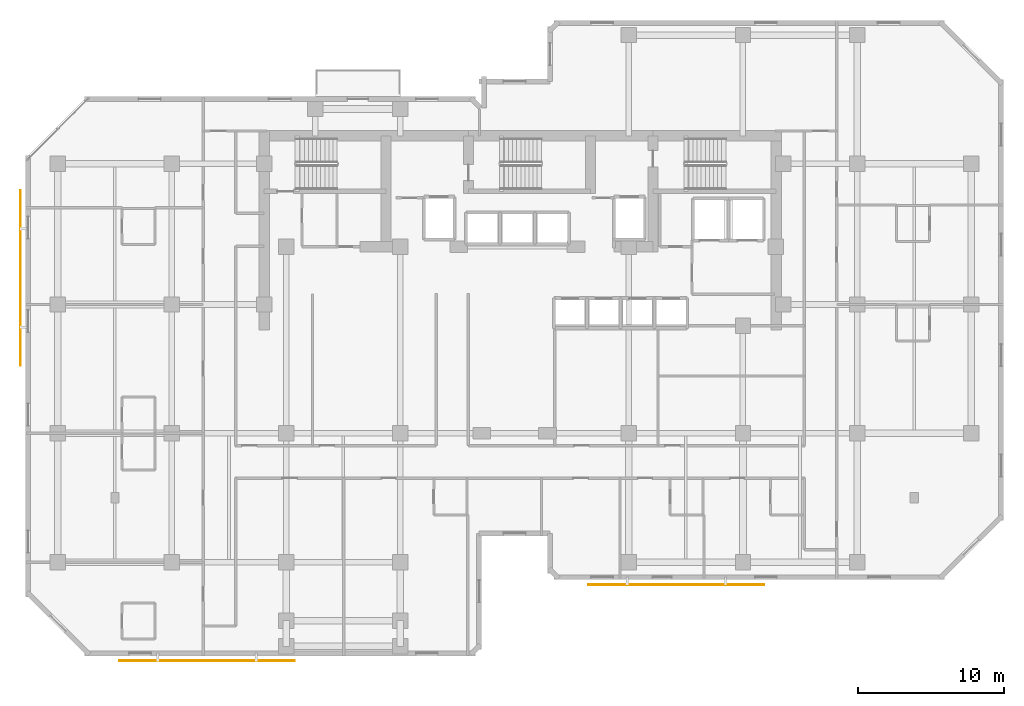
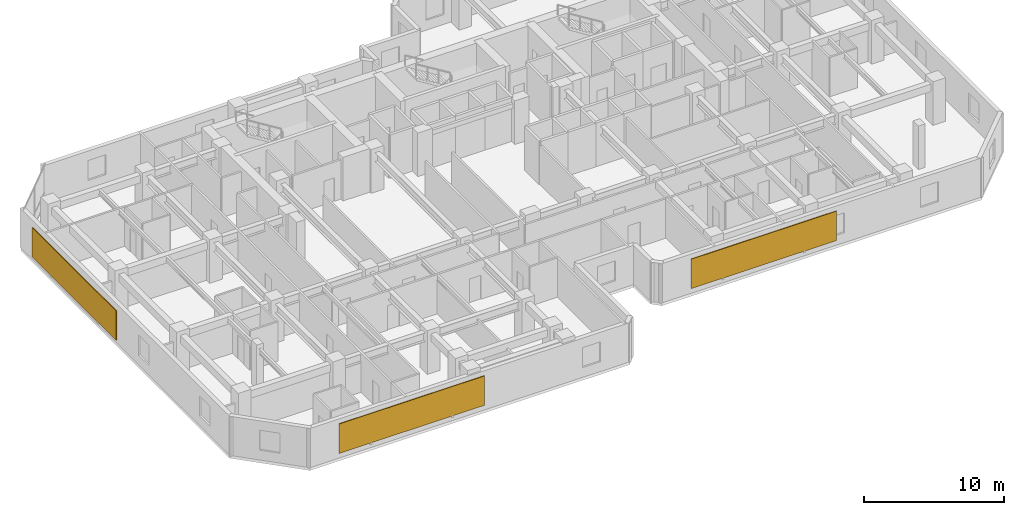
# One storey, part 10 of 11: 3 shading devices.
"""IFC4 building model written with IfcOpenShell, lengths in metres."""

from ifc_helpers import new_model, si_unit, direction, frame, origin, origin_2d, place, context, subcontext, project, spatial, rectangle, extrude, material, layer, layer_set, type_object, element, save


model = new_model("IFC4")

# Units and contexts
model_context = context("Model", 3, precision=1e-05, world=origin(), true_north=direction((0.0, 1.0)))
body_context = subcontext(model_context, "Body", "Model", "MODEL_VIEW")
ifc_project = project(units=[si_unit("LENGTHUNIT", "METRE"), si_unit("AREAUNIT", "SQUARE_METRE"), si_unit("VOLUMEUNIT", "CUBIC_METRE"), si_unit("PLANEANGLEUNIT", "RADIAN"), si_unit("MASSUNIT", "GRAM", prefix="KILO")], contexts=[model_context])

# Site, building, storey
site_placement = place(None, origin())
site = spatial("IfcSite", under=ifc_project, at=site_placement, CompositionType="ELEMENT")
building_placement = place(site_placement, origin())
building = spatial("IfcBuilding", under=site, at=building_placement, Name="Kestravale Grand Hotel", CompositionType="ELEMENT")
storey_placement = place(building_placement, frame((0.0, 0.0, 180.199951171875)))
storey = spatial("IfcBuildingStorey", under=building, at=storey_placement, Name="L45", CompositionType="ELEMENT", Elevation=180.199951171875)

# Shading devices
ifc_material = material(Name="Perforated champagne-bronze aluminium and ceramic solar screen", Category="aluminium")
ifc_layer = layer(ifc_material, 0.06494140625)
ifc_layer_set = layer_set([ifc_layer], Name="SHD-SCR-CHEV")
shading_device_type = type_object("IfcShadingDeviceType", Name="SHD-SCR-CHEV", PredefinedType="USERDEFINED", material=ifc_layer_set)
for number, where, z_axis, x_axis, name in (
    (1, (18.0, 4.4599609375, 0.7001953125), (0.0, 0.0, 1.0), (1.0, 0.0, 0.0), "L45 Perforated bronze ceramic chevron solar screen SCR-L45-01"),
    (2, (50.050048828125, 9.659912109375, 0.7001953125), (0.0, 0.0, 1.0), (1.0, 0.0, 0.0), "L45 Perforated bronze ceramic chevron solar screen SCR-L45-07"),
    (3, (5.260009765625, 30.60009765625, 0.7001953125), (0.0, 0.0, 1.0), (0.0, -1.0, 0.0), "L45 Perforated bronze ceramic chevron solar screen SCR-L45-19"),
):
    element("IfcShadingDevice", number, at=place(storey_placement, frame(where, z_axis=z_axis, x_axis=x_axis)), inside=storey, type_object=shading_device_type, Name=name, ObjectType="SCREEN", PredefinedType="USERDEFINED", context=body_context, shape_type="SweptSolid", body=[
        extrude(rectangle(XDim=12.0, YDim=0.06494140625, at=origin_2d()), origin(), (0.0, 0.0, 1.0), 2.570068359375),
    ])

save(model, "model.ifc")
